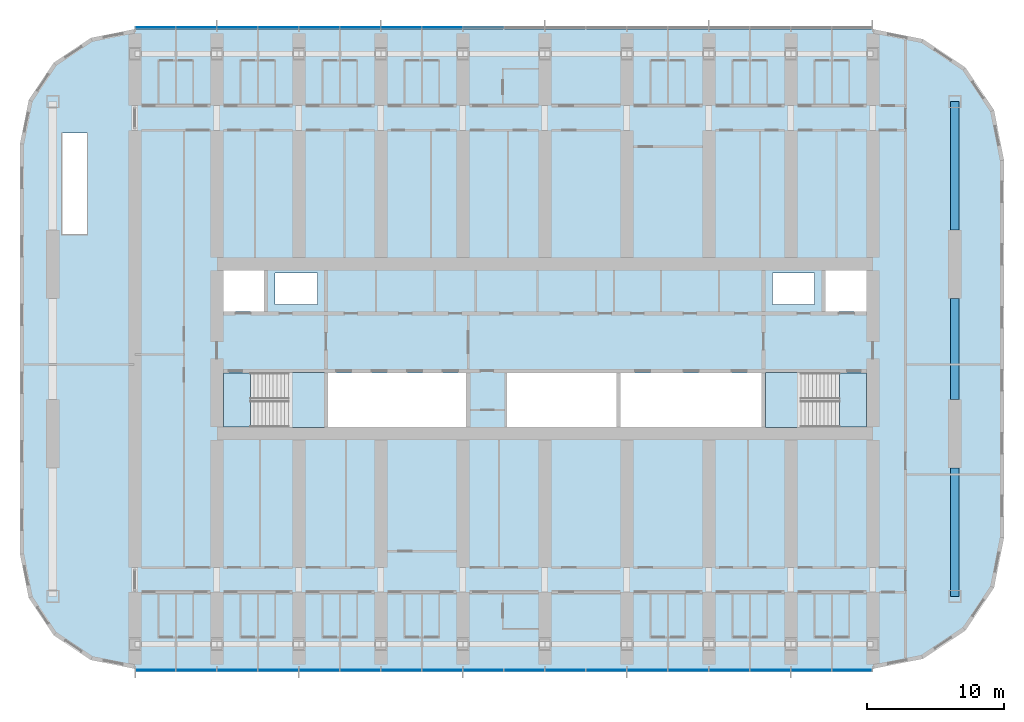
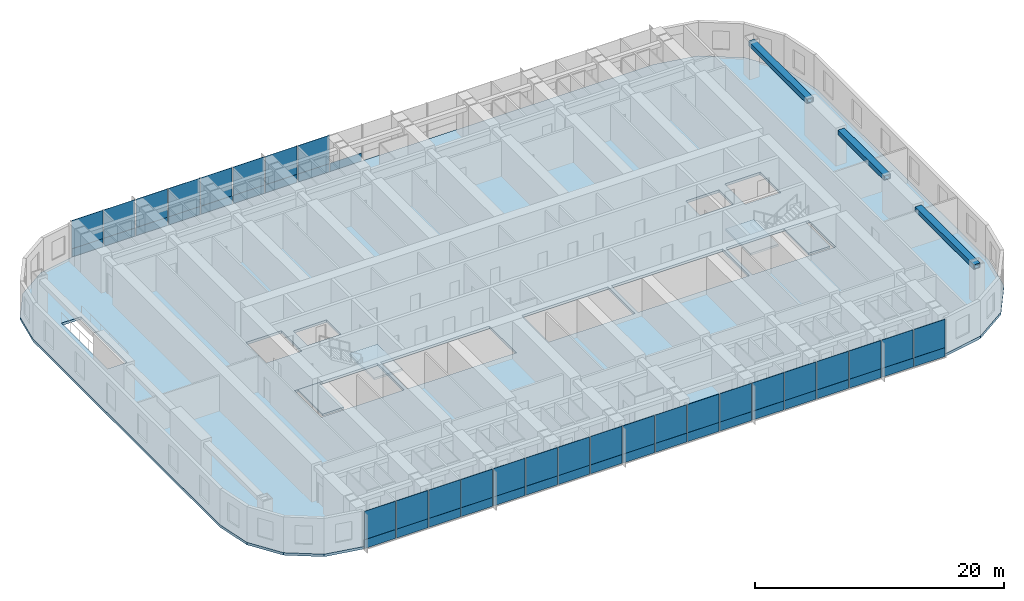
# One storey, part 6 of 22: 53 plates, 5 slabs, 3 beams, 4 elements without a shape of their own.
"""IFC4 building model written with IfcOpenShell, lengths in metres."""

from ifc_helpers import new_model, si_unit, direction, frame, origin, origin_2d, place, context, subcontext, project, spatial, polyline, rectangle, hollow_rectangle, outline, extrude, material, layer, layer_set, material_profile, profile_set, type_object, element, aggregate, save


model = new_model("IFC4")

# Units and contexts
model_context = context("Model", 3, precision=1e-05, world=origin(), true_north=direction((0.0, 1.0)))
body_context = subcontext(model_context, "Body", "Model", "MODEL_VIEW")
ifc_project = project(units=[si_unit("LENGTHUNIT", "METRE"), si_unit("AREAUNIT", "SQUARE_METRE"), si_unit("VOLUMEUNIT", "CUBIC_METRE"), si_unit("PLANEANGLEUNIT", "RADIAN"), si_unit("MASSUNIT", "GRAM", prefix="KILO")], contexts=[model_context])

# Site, building, storey
site_placement = place(None, origin())
site = spatial("IfcSite", under=ifc_project, at=site_placement, CompositionType="ELEMENT")
building_placement = place(site_placement, origin())
building = spatial("IfcBuilding", under=site, at=building_placement, Name="Orbita Commons", CompositionType="ELEMENT")
storey_placement = place(building_placement, frame((0.0, 0.0, 118.14990234375)))
storey = spatial("IfcBuildingStorey", under=building, at=storey_placement, Name="L29", CompositionType="ELEMENT", Elevation=118.14990234375)

# Beams
ifc_material_1 = material(Name="Steel ASTM A572 Gr 50 welded plate", Category="steel")
ifc_material_profile = material_profile(ifc_material_1, hollow_rectangle(XDim=0.60009765625, YDim=0.449951171875, WallThickness=0.06005859375, at=origin_2d()), Name="BOX 450x600x60")
ifc_profile_set = profile_set([ifc_material_profile], Name="Steel ASTM A572 Gr 50 welded plate")
beam_type = type_object("IfcBeamType", Name="Steel end frame link BOX 450x600x60", PredefinedType="BEAM", material=ifc_profile_set)
beam_1_placement = place(storey_placement, frame((72.0, 13.89990234375, 3.275146484375), z_axis=(0.0, 1.0, 0.0), x_axis=(-1.0, 0.0, 0.0)))
element("IfcBeam", 1, at=beam_1_placement, inside=storey, type_object=beam_type, Name="End frame beam 13 B-C L29", PredefinedType="BEAM", context=body_context, shape_type="SweptSolid", body=[
    extrude(hollow_rectangle(XDim=0.60009765625, YDim=0.449951171875, WallThickness=0.06005859375, at=origin_2d()), origin(), (0.0, 0.0, 1.0), 9.400146484375),
])
beam_2_placement = place(storey_placement, frame((72.0, 28.300048828125, 3.275146484375), z_axis=(0.0, 1.0, 0.0), x_axis=(-1.0, 0.0, 0.0)))
element("IfcBeam", 2, at=beam_2_placement, inside=storey, type_object=beam_type, Name="End frame beam 13 C-D L29", PredefinedType="BEAM", context=body_context, shape_type="SweptSolid", body=[
    extrude(hollow_rectangle(XDim=0.60009765625, YDim=0.449951171875, WallThickness=0.06005859375, at=origin_2d()), origin(), (0.0, 0.0, 1.0), 7.39990234375),
])
beam_3_placement = place(storey_placement, frame((72.0, 40.699951171875, 3.275146484375), z_axis=(0.0, 1.0, 0.0), x_axis=(-1.0, 0.0, 0.0)))
element("IfcBeam", 3, at=beam_3_placement, inside=storey, type_object=beam_type, Name="End frame beam 13 D-E L29", PredefinedType="BEAM", context=body_context, shape_type="SweptSolid", body=[
    extrude(hollow_rectangle(XDim=0.60009765625, YDim=0.449951171875, WallThickness=0.06005859375, at=origin_2d()), origin(), (0.0, 0.0, 1.0), 9.400146484375),
])

# Slab
ifc_material_2 = material(Name="Concrete C40/50", Category="concrete")
ifc_layer_1 = layer(ifc_material_2, 0.25)
ifc_layer_set_1 = layer_set([ifc_layer_1], Name="Concrete C40/50")
slab_type_1 = type_object("IfcSlabType", Name="Floor slab 250", PredefinedType="FLOOR", material=ifc_layer_set_1)
slab_1_placement = place(storey_placement, frame((0.0, 0.0, -0.25)))
element("IfcSlab", 4, at=slab_1_placement, inside=storey, type_object=slab_type_1, Name="Floor slab L29", PredefinedType="FLOOR", context=body_context, shape_type="SweptSolid", body=[
    extrude(outline(polyline([(66.0, 8.60009765625), (69.673828125, 9.330810546875), (72.788330078125, 11.411865234375), (74.869140625, 14.526123046875), (75.60009765625, 18.199951171875), (75.60009765625, 45.800048828125), (74.869140625, 49.473876953125), (72.788330078125, 52.588134765625), (69.673828125, 54.669189453125), (66.0, 55.39990234375), (12.0, 55.39990234375), (8.785400390625, 54.760498046875), (6.060302734375, 52.939697265625), (4.239501953125, 50.214599609375), (3.60009765625, 47.0), (3.60009765625, 17.0), (4.239501953125, 13.785400390625), (6.060302734375, 11.060302734375), (8.785400390625, 9.239501953125), (12.0, 8.60009765625), (66.0, 8.60009765625)]), holes=[polyline([(18.14990234375, 25.949951171875), (25.85009765625, 25.949951171875), (25.85009765625, 30.25), (18.14990234375, 30.25), (18.14990234375, 25.949951171875)]), polyline([(58.14990234375, 25.949951171875), (65.85009765625, 25.949951171875), (65.85009765625, 30.25), (58.14990234375, 30.25), (58.14990234375, 25.949951171875)]), polyline([(18.14990234375, 34.75), (21.449951171875, 34.75), (21.449951171875, 38.050048828125), (18.14990234375, 38.050048828125), (18.14990234375, 34.75)]), polyline([(62.550048828125, 34.75), (65.85009765625, 34.75), (65.85009765625, 38.050048828125), (62.550048828125, 38.050048828125), (62.550048828125, 34.75)]), polyline([(22.25, 35.25), (25.35009765625, 35.25), (25.35009765625, 37.550048828125), (22.25, 37.550048828125), (22.25, 35.25)]), polyline([(58.64990234375, 35.25), (61.75, 35.25), (61.75, 37.550048828125), (58.64990234375, 37.550048828125), (58.64990234375, 35.25)]), polyline([(26.14990234375, 25.949951171875), (36.25, 25.949951171875), (36.25, 30.25), (26.14990234375, 30.25), (26.14990234375, 25.949951171875)]), polyline([(39.25, 25.949951171875), (47.25, 25.949951171875), (47.25, 30.25), (39.25, 30.25), (39.25, 25.949951171875)]), polyline([(47.550048828125, 25.949951171875), (57.85009765625, 25.949951171875), (57.85009765625, 30.25), (47.550048828125, 30.25), (47.550048828125, 25.949951171875)]), polyline([(6.699951171875, 40.39990234375), (8.5, 40.39990234375), (8.5, 47.800048828125), (6.699951171875, 47.800048828125), (6.699951171875, 40.39990234375)])]), origin(), (0.0, 0.0, 1.0), 0.25),
])

# Curtain wall, plates
ifc_material_3 = material(Name="Anodised aluminium frame, pale silver", Category="aluminium")
curtain_wall_type = type_object("IfcCurtainWallType", Name="Unitised curtain wall CW-T, vision and spandrel", PredefinedType="NOTDEFINED", material=ifc_material_3)
curtain_wall_1_placement = place(storey_placement, origin())
curtain_wall_1 = element("IfcCurtainWall", 5, at=curtain_wall_1_placement, inside=storey, type_object=curtain_wall_type, Name="Curtain wall south L29", PredefinedType="NOTDEFINED")
ifc_material_4 = material(Name="Anodised aluminium sheet on mineral wool", Category="aluminium")
ifc_layer_2 = layer(ifc_material_4, 0.050048828125)
ifc_layer_set_2 = layer_set([ifc_layer_2], Name="Anodised aluminium sheet on mineral wool")
plate_type_1 = type_object("IfcPlateType", Name="Spandrel panel, pale aluminium over insulation 50", PredefinedType="CURTAIN_PANEL", material=ifc_layer_set_2)
plate_1_placement = place(storey_placement, frame((13.52001953125, 8.489990234375, -0.14990234375), z_axis=(0.0, 0.0, 1.0), x_axis=(1.0, 0.0, 0.0)))
plate_1 = element("IfcPlate", 6, at=plate_1_placement, type_object=plate_type_1, Name="Panel 1.1 CW-L29-S", PredefinedType="CURTAIN_PANEL", context=body_context, shape_type="SweptSolid", body=[
    extrude(rectangle(XDim=2.8798828125, YDim=0.050048828125, at=origin_2d()), origin(), (0.0, 0.0, 1.0), 0.875),
])
plate_2_placement = place(storey_placement, frame((16.5, 8.489990234375, -0.14990234375), z_axis=(0.0, 0.0, 1.0), x_axis=(1.0, 0.0, 0.0)))
plate_2 = element("IfcPlate", 7, at=plate_2_placement, type_object=plate_type_1, Name="Panel 2.1 CW-L29-S", PredefinedType="CURTAIN_PANEL", context=body_context, shape_type="SweptSolid", body=[
    extrude(rectangle(XDim=2.919921875, YDim=0.050048828125, at=origin_2d()), origin(), (0.0, 0.0, 1.0), 0.875),
])
plate_3_placement = place(storey_placement, frame((19.5, 8.489990234375, -0.14990234375), z_axis=(0.0, 0.0, 1.0), x_axis=(1.0, 0.0, 0.0)))
plate_3 = element("IfcPlate", 8, at=plate_3_placement, type_object=plate_type_1, Name="Panel 3.1 CW-L29-S", PredefinedType="CURTAIN_PANEL", context=body_context, shape_type="SweptSolid", body=[
    extrude(rectangle(XDim=2.919921875, YDim=0.050048828125, at=origin_2d()), origin(), (0.0, 0.0, 1.0), 0.875),
])
plate_4_placement = place(storey_placement, frame((22.5, 8.489990234375, -0.14990234375), z_axis=(0.0, 0.0, 1.0), x_axis=(1.0, 0.0, 0.0)))
plate_4 = element("IfcPlate", 9, at=plate_4_placement, type_object=plate_type_1, Name="Panel 4.1 CW-L29-S", PredefinedType="CURTAIN_PANEL", context=body_context, shape_type="SweptSolid", body=[
    extrude(rectangle(XDim=2.919921875, YDim=0.050048828125, at=origin_2d()), origin(), (0.0, 0.0, 1.0), 0.875),
])
plate_5_placement = place(storey_placement, frame((25.5, 8.489990234375, -0.14990234375), z_axis=(0.0, 0.0, 1.0), x_axis=(1.0, 0.0, 0.0)))
plate_5 = element("IfcPlate", 10, at=plate_5_placement, type_object=plate_type_1, Name="Panel 5.1 CW-L29-S", PredefinedType="CURTAIN_PANEL", context=body_context, shape_type="SweptSolid", body=[
    extrude(rectangle(XDim=2.919921875, YDim=0.050048828125, at=origin_2d()), origin(), (0.0, 0.0, 1.0), 0.875),
])
plate_6_placement = place(storey_placement, frame((28.5, 8.489990234375, -0.14990234375), z_axis=(0.0, 0.0, 1.0), x_axis=(1.0, 0.0, 0.0)))
plate_6 = element("IfcPlate", 11, at=plate_6_placement, type_object=plate_type_1, Name="Panel 6.1 CW-L29-S", PredefinedType="CURTAIN_PANEL", context=body_context, shape_type="SweptSolid", body=[
    extrude(rectangle(XDim=2.919921875, YDim=0.050048828125, at=origin_2d()), origin(), (0.0, 0.0, 1.0), 0.875),
])
plate_7_placement = place(storey_placement, frame((31.5, 8.489990234375, -0.14990234375), z_axis=(0.0, 0.0, 1.0), x_axis=(1.0, 0.0, 0.0)))
plate_7 = element("IfcPlate", 12, at=plate_7_placement, type_object=plate_type_1, Name="Panel 7.1 CW-L29-S", PredefinedType="CURTAIN_PANEL", context=body_context, shape_type="SweptSolid", body=[
    extrude(rectangle(XDim=2.919921875, YDim=0.050048828125, at=origin_2d()), origin(), (0.0, 0.0, 1.0), 0.875),
])
plate_8_placement = place(storey_placement, frame((34.5, 8.489990234375, -0.14990234375), z_axis=(0.0, 0.0, 1.0), x_axis=(1.0, 0.0, 0.0)))
plate_8 = element("IfcPlate", 13, at=plate_8_placement, type_object=plate_type_1, Name="Panel 8.1 CW-L29-S", PredefinedType="CURTAIN_PANEL", context=body_context, shape_type="SweptSolid", body=[
    extrude(rectangle(XDim=2.919921875, YDim=0.050048828125, at=origin_2d()), origin(), (0.0, 0.0, 1.0), 0.875),
])
plate_9_placement = place(storey_placement, frame((37.5, 8.489990234375, -0.14990234375), z_axis=(0.0, 0.0, 1.0), x_axis=(1.0, 0.0, 0.0)))
plate_9 = element("IfcPlate", 14, at=plate_9_placement, type_object=plate_type_1, Name="Panel 9.1 CW-L29-S", PredefinedType="CURTAIN_PANEL", context=body_context, shape_type="SweptSolid", body=[
    extrude(rectangle(XDim=2.919921875, YDim=0.050048828125, at=origin_2d()), origin(), (0.0, 0.0, 1.0), 0.875),
])
plate_10_placement = place(storey_placement, frame((40.5, 8.489990234375, -0.14990234375), z_axis=(0.0, 0.0, 1.0), x_axis=(1.0, 0.0, 0.0)))
plate_10 = element("IfcPlate", 15, at=plate_10_placement, type_object=plate_type_1, Name="Panel 10.1 CW-L29-S", PredefinedType="CURTAIN_PANEL", context=body_context, shape_type="SweptSolid", body=[
    extrude(rectangle(XDim=2.919921875, YDim=0.050048828125, at=origin_2d()), origin(), (0.0, 0.0, 1.0), 0.875),
])
plate_11_placement = place(storey_placement, frame((43.5, 8.489990234375, -0.14990234375), z_axis=(0.0, 0.0, 1.0), x_axis=(1.0, 0.0, 0.0)))
plate_11 = element("IfcPlate", 16, at=plate_11_placement, type_object=plate_type_1, Name="Panel 11.1 CW-L29-S", PredefinedType="CURTAIN_PANEL", context=body_context, shape_type="SweptSolid", body=[
    extrude(rectangle(XDim=2.919921875, YDim=0.050048828125, at=origin_2d()), origin(), (0.0, 0.0, 1.0), 0.875),
])
plate_12_placement = place(storey_placement, frame((46.5, 8.489990234375, -0.14990234375), z_axis=(0.0, 0.0, 1.0), x_axis=(1.0, 0.0, 0.0)))
plate_12 = element("IfcPlate", 17, at=plate_12_placement, type_object=plate_type_1, Name="Panel 12.1 CW-L29-S", PredefinedType="CURTAIN_PANEL", context=body_context, shape_type="SweptSolid", body=[
    extrude(rectangle(XDim=2.919921875, YDim=0.050048828125, at=origin_2d()), origin(), (0.0, 0.0, 1.0), 0.875),
])
plate_13_placement = place(storey_placement, frame((49.5, 8.489990234375, -0.14990234375), z_axis=(0.0, 0.0, 1.0), x_axis=(1.0, 0.0, 0.0)))
plate_13 = element("IfcPlate", 18, at=plate_13_placement, type_object=plate_type_1, Name="Panel 13.1 CW-L29-S", PredefinedType="CURTAIN_PANEL", context=body_context, shape_type="SweptSolid", body=[
    extrude(rectangle(XDim=2.919921875, YDim=0.050048828125, at=origin_2d()), origin(), (0.0, 0.0, 1.0), 0.875),
])
plate_14_placement = place(storey_placement, frame((52.5, 8.489990234375, -0.14990234375), z_axis=(0.0, 0.0, 1.0), x_axis=(1.0, 0.0, 0.0)))
plate_14 = element("IfcPlate", 19, at=plate_14_placement, type_object=plate_type_1, Name="Panel 14.1 CW-L29-S", PredefinedType="CURTAIN_PANEL", context=body_context, shape_type="SweptSolid", body=[
    extrude(rectangle(XDim=2.919921875, YDim=0.050048828125, at=origin_2d()), origin(), (0.0, 0.0, 1.0), 0.875),
])
plate_15_placement = place(storey_placement, frame((55.5, 8.489990234375, -0.14990234375), z_axis=(0.0, 0.0, 1.0), x_axis=(1.0, 0.0, 0.0)))
plate_15 = element("IfcPlate", 20, at=plate_15_placement, type_object=plate_type_1, Name="Panel 15.1 CW-L29-S", PredefinedType="CURTAIN_PANEL", context=body_context, shape_type="SweptSolid", body=[
    extrude(rectangle(XDim=2.919921875, YDim=0.050048828125, at=origin_2d()), origin(), (0.0, 0.0, 1.0), 0.875),
])
plate_16_placement = place(storey_placement, frame((58.5, 8.489990234375, -0.14990234375), z_axis=(0.0, 0.0, 1.0), x_axis=(1.0, 0.0, 0.0)))
plate_16 = element("IfcPlate", 21, at=plate_16_placement, type_object=plate_type_1, Name="Panel 16.1 CW-L29-S", PredefinedType="CURTAIN_PANEL", context=body_context, shape_type="SweptSolid", body=[
    extrude(rectangle(XDim=2.919921875, YDim=0.050048828125, at=origin_2d()), origin(), (0.0, 0.0, 1.0), 0.875),
])
plate_17_placement = place(storey_placement, frame((61.5, 8.489990234375, -0.14990234375), z_axis=(0.0, 0.0, 1.0), x_axis=(1.0, 0.0, 0.0)))
plate_17 = element("IfcPlate", 22, at=plate_17_placement, type_object=plate_type_1, Name="Panel 17.1 CW-L29-S", PredefinedType="CURTAIN_PANEL", context=body_context, shape_type="SweptSolid", body=[
    extrude(rectangle(XDim=2.919921875, YDim=0.050048828125, at=origin_2d()), origin(), (0.0, 0.0, 1.0), 0.875),
])
plate_18_placement = place(storey_placement, frame((64.47998046875, 8.489990234375, -0.14990234375), z_axis=(0.0, 0.0, 1.0), x_axis=(1.0, 0.0, 0.0)))
plate_18 = element("IfcPlate", 23, at=plate_18_placement, type_object=plate_type_1, Name="Panel 18.1 CW-L29-S", PredefinedType="CURTAIN_PANEL", context=body_context, shape_type="SweptSolid", body=[
    extrude(rectangle(XDim=2.8798828125, YDim=0.050048828125, at=origin_2d()), origin(), (0.0, 0.0, 1.0), 0.875),
])

curtain_wall_2_placement = place(storey_placement, origin())
curtain_wall_2 = element("IfcCurtainWall", 24, at=curtain_wall_2_placement, inside=storey, type_object=curtain_wall_type, Name="Curtain wall north L29", PredefinedType="NOTDEFINED")
plate_19_placement = place(storey_placement, frame((37.5, 55.510009765625, -0.14990234375), z_axis=(0.0, 0.0, 1.0), x_axis=(-1.0, 0.0, 0.0)))
plate_19 = element("IfcPlate", 25, at=plate_19_placement, type_object=plate_type_1, Name="Panel 10.1 CW-L29-N", PredefinedType="CURTAIN_PANEL", context=body_context, shape_type="SweptSolid", body=[
    extrude(rectangle(XDim=2.919921875, YDim=0.050048828125, at=origin_2d()), origin(), (0.0, 0.0, 1.0), 0.875),
])
plate_20_placement = place(storey_placement, frame((34.5, 55.510009765625, -0.14990234375), z_axis=(0.0, 0.0, 1.0), x_axis=(-1.0, 0.0, 0.0)))
plate_20 = element("IfcPlate", 26, at=plate_20_placement, type_object=plate_type_1, Name="Panel 11.1 CW-L29-N", PredefinedType="CURTAIN_PANEL", context=body_context, shape_type="SweptSolid", body=[
    extrude(rectangle(XDim=2.919921875, YDim=0.050048828125, at=origin_2d()), origin(), (0.0, 0.0, 1.0), 0.875),
])
plate_21_placement = place(storey_placement, frame((31.5, 55.510009765625, -0.14990234375), z_axis=(0.0, 0.0, 1.0), x_axis=(-1.0, 0.0, 0.0)))
plate_21 = element("IfcPlate", 27, at=plate_21_placement, type_object=plate_type_1, Name="Panel 12.1 CW-L29-N", PredefinedType="CURTAIN_PANEL", context=body_context, shape_type="SweptSolid", body=[
    extrude(rectangle(XDim=2.919921875, YDim=0.050048828125, at=origin_2d()), origin(), (0.0, 0.0, 1.0), 0.875),
])
plate_22_placement = place(storey_placement, frame((28.5, 55.510009765625, -0.14990234375), z_axis=(0.0, 0.0, 1.0), x_axis=(-1.0, 0.0, 0.0)))
plate_22 = element("IfcPlate", 28, at=plate_22_placement, type_object=plate_type_1, Name="Panel 13.1 CW-L29-N", PredefinedType="CURTAIN_PANEL", context=body_context, shape_type="SweptSolid", body=[
    extrude(rectangle(XDim=2.919921875, YDim=0.050048828125, at=origin_2d()), origin(), (0.0, 0.0, 1.0), 0.875),
])
plate_23_placement = place(storey_placement, frame((25.5, 55.510009765625, -0.14990234375), z_axis=(0.0, 0.0, 1.0), x_axis=(-1.0, 0.0, 0.0)))
plate_23 = element("IfcPlate", 29, at=plate_23_placement, type_object=plate_type_1, Name="Panel 14.1 CW-L29-N", PredefinedType="CURTAIN_PANEL", context=body_context, shape_type="SweptSolid", body=[
    extrude(rectangle(XDim=2.919921875, YDim=0.050048828125, at=origin_2d()), origin(), (0.0, 0.0, 1.0), 0.875),
])
plate_24_placement = place(storey_placement, frame((22.5, 55.510009765625, -0.14990234375), z_axis=(0.0, 0.0, 1.0), x_axis=(-1.0, 0.0, 0.0)))
plate_24 = element("IfcPlate", 30, at=plate_24_placement, type_object=plate_type_1, Name="Panel 15.1 CW-L29-N", PredefinedType="CURTAIN_PANEL", context=body_context, shape_type="SweptSolid", body=[
    extrude(rectangle(XDim=2.919921875, YDim=0.050048828125, at=origin_2d()), origin(), (0.0, 0.0, 1.0), 0.875),
])
plate_25_placement = place(storey_placement, frame((19.5, 55.510009765625, -0.14990234375), z_axis=(0.0, 0.0, 1.0), x_axis=(-1.0, 0.0, 0.0)))
plate_25 = element("IfcPlate", 31, at=plate_25_placement, type_object=plate_type_1, Name="Panel 16.1 CW-L29-N", PredefinedType="CURTAIN_PANEL", context=body_context, shape_type="SweptSolid", body=[
    extrude(rectangle(XDim=2.919921875, YDim=0.050048828125, at=origin_2d()), origin(), (0.0, 0.0, 1.0), 0.875),
])
plate_26_placement = place(storey_placement, frame((16.5, 55.510009765625, -0.14990234375), z_axis=(0.0, 0.0, 1.0), x_axis=(-1.0, 0.0, 0.0)))
plate_26 = element("IfcPlate", 32, at=plate_26_placement, type_object=plate_type_1, Name="Panel 17.1 CW-L29-N", PredefinedType="CURTAIN_PANEL", context=body_context, shape_type="SweptSolid", body=[
    extrude(rectangle(XDim=2.919921875, YDim=0.050048828125, at=origin_2d()), origin(), (0.0, 0.0, 1.0), 0.875),
])
plate_27_placement = place(storey_placement, frame((13.52001953125, 55.510009765625, -0.14990234375), z_axis=(0.0, 0.0, 1.0), x_axis=(-1.0, 0.0, 0.0)))
plate_27 = element("IfcPlate", 33, at=plate_27_placement, type_object=plate_type_1, Name="Panel 18.1 CW-L29-N", PredefinedType="CURTAIN_PANEL", context=body_context, shape_type="SweptSolid", body=[
    extrude(rectangle(XDim=2.8798828125, YDim=0.050048828125, at=origin_2d()), origin(), (0.0, 0.0, 1.0), 0.875),
])

# Stair, slabs
ifc_material_5 = material(Name="Precast concrete C40/50", Category="concrete")
stair_type_1 = type_object("IfcStairType", Name="Exit stair S1 2 flights 11 risers 170", PredefinedType="HALF_TURN_STAIR", material=ifc_material_5)
stair_1_placement = place(storey_placement, origin())
stair_1 = element("IfcStair", 34, at=stair_1_placement, inside=storey, type_object=stair_type_1, Name="Exit stair S1 L29", PredefinedType="HALF_TURN_STAIR")
ifc_material_6 = material(Name="Concrete C40/50", Category="concrete")
ifc_layer_3 = layer(ifc_material_6, 0.199951171875)
ifc_layer_set_3 = layer_set([ifc_layer_3], Name="Concrete C40/50")
slab_type_2 = type_object("IfcSlabType", Name="Stair landing 200", PredefinedType="LANDING", material=ifc_layer_set_3)
slab_2_placement = place(storey_placement, frame((0.0, 0.0, -0.199951171875)))
slab_2 = element("IfcSlab", 35, at=slab_2_placement, type_object=slab_type_2, Name="S1 landing 1", PredefinedType="LANDING", context=body_context, shape_type="SweptSolid", body=[
    extrude(outline(polyline([(18.47509765625, 26.27490234375), (20.449951171875, 26.27490234375), (20.449951171875, 30.25), (18.47509765625, 30.25), (18.47509765625, 26.27490234375)])), origin(), (0.0, 0.0, 1.0), 0.199951171875),
])
slab_3_placement = place(storey_placement, frame((0.0, 0.0, 1.675048828125)))
slab_3 = element("IfcSlab", 36, at=slab_3_placement, type_object=slab_type_2, Name="S1 landing 2", PredefinedType="LANDING", context=body_context, shape_type="SweptSolid", body=[
    extrude(outline(polyline([(23.25, 26.260009765625), (25.864990234375, 26.260009765625), (25.864990234375, 30.264892578125), (23.25, 30.264892578125), (23.25, 26.260009765625)])), origin(), (0.0, 0.0, 1.0), 0.199951171875),
])
aggregate(stair_1, [slab_2, slab_3])

ifc_material_7 = material(Name="Precast concrete C40/50", Category="concrete")
stair_type_2 = type_object("IfcStairType", Name="Exit stair S2 2 flights 11 risers 170", PredefinedType="HALF_TURN_STAIR", material=ifc_material_7)
stair_2_placement = place(storey_placement, origin())
stair_2 = element("IfcStair", 37, at=stair_2_placement, inside=storey, type_object=stair_type_2, Name="Exit stair S2 L29", PredefinedType="HALF_TURN_STAIR")
slab_4_placement = place(storey_placement, frame((0.0, 0.0, -0.199951171875)))
slab_4 = element("IfcSlab", 38, at=slab_4_placement, type_object=slab_type_2, Name="S2 landing 1", PredefinedType="LANDING", context=body_context, shape_type="SweptSolid", body=[
    extrude(outline(polyline([(63.550048828125, 26.27490234375), (65.52490234375, 26.27490234375), (65.52490234375, 30.25), (63.550048828125, 30.25), (63.550048828125, 26.27490234375)])), origin(), (0.0, 0.0, 1.0), 0.199951171875),
])
slab_5_placement = place(storey_placement, frame((0.0, 0.0, 1.675048828125)))
slab_5 = element("IfcSlab", 39, at=slab_5_placement, type_object=slab_type_2, Name="S2 landing 2", PredefinedType="LANDING", context=body_context, shape_type="SweptSolid", body=[
    extrude(outline(polyline([(58.135009765625, 26.260009765625), (60.75, 26.260009765625), (60.75, 30.264892578125), (58.135009765625, 30.264892578125), (58.135009765625, 26.260009765625)])), origin(), (0.0, 0.0, 1.0), 0.199951171875),
])
aggregate(stair_2, [slab_4, slab_5])

# Plate
ifc_material_8 = material(Name="Clear double glazing", Category="glass")
ifc_layer_4 = layer(ifc_material_8, 0.031982421875)
ifc_layer_set_4 = layer_set([ifc_layer_4], Name="Clear double glazing")
plate_type_2 = type_object("IfcPlateType", Name="Vision panel, clear double glazing 32", PredefinedType="CURTAIN_PANEL", material=ifc_layer_set_4)
plate_28_placement = place(storey_placement, frame((13.52001953125, 8.489990234375, 0.72509765625), z_axis=(0.0, 0.0, 1.0), x_axis=(1.0, 0.0, 0.0)))
plate_28 = element("IfcPlate", 40, at=plate_28_placement, type_object=plate_type_2, Name="Panel 1.2 CW-L29-S", PredefinedType="CURTAIN_PANEL", context=body_context, shape_type="SweptSolid", body=[
    extrude(rectangle(XDim=2.8798828125, YDim=0.031982421875, at=origin_2d()), origin(), (0.0, 0.0, 1.0), 2.77490234375),
])

plate_29_placement = place(storey_placement, frame((16.5, 8.489990234375, 0.72509765625), z_axis=(0.0, 0.0, 1.0), x_axis=(1.0, 0.0, 0.0)))
plate_29 = element("IfcPlate", 41, at=plate_29_placement, type_object=plate_type_2, Name="Panel 2.2 CW-L29-S", PredefinedType="CURTAIN_PANEL", context=body_context, shape_type="SweptSolid", body=[
    extrude(rectangle(XDim=2.919921875, YDim=0.031982421875, at=origin_2d()), origin(), (0.0, 0.0, 1.0), 2.77490234375),
])

plate_30_placement = place(storey_placement, frame((19.5, 8.489990234375, 0.72509765625), z_axis=(0.0, 0.0, 1.0), x_axis=(1.0, 0.0, 0.0)))
plate_30 = element("IfcPlate", 42, at=plate_30_placement, type_object=plate_type_2, Name="Panel 3.2 CW-L29-S", PredefinedType="CURTAIN_PANEL", context=body_context, shape_type="SweptSolid", body=[
    extrude(rectangle(XDim=2.919921875, YDim=0.031982421875, at=origin_2d()), origin(), (0.0, 0.0, 1.0), 2.77490234375),
])

plate_31_placement = place(storey_placement, frame((22.5, 8.489990234375, 0.72509765625), z_axis=(0.0, 0.0, 1.0), x_axis=(1.0, 0.0, 0.0)))
plate_31 = element("IfcPlate", 43, at=plate_31_placement, type_object=plate_type_2, Name="Panel 4.2 CW-L29-S", PredefinedType="CURTAIN_PANEL", context=body_context, shape_type="SweptSolid", body=[
    extrude(rectangle(XDim=2.919921875, YDim=0.031982421875, at=origin_2d()), origin(), (0.0, 0.0, 1.0), 2.77490234375),
])

plate_32_placement = place(storey_placement, frame((25.5, 8.489990234375, 0.72509765625), z_axis=(0.0, 0.0, 1.0), x_axis=(1.0, 0.0, 0.0)))
plate_32 = element("IfcPlate", 44, at=plate_32_placement, type_object=plate_type_2, Name="Panel 5.2 CW-L29-S", PredefinedType="CURTAIN_PANEL", context=body_context, shape_type="SweptSolid", body=[
    extrude(rectangle(XDim=2.919921875, YDim=0.031982421875, at=origin_2d()), origin(), (0.0, 0.0, 1.0), 2.77490234375),
])

plate_33_placement = place(storey_placement, frame((28.5, 8.489990234375, 0.72509765625), z_axis=(0.0, 0.0, 1.0), x_axis=(1.0, 0.0, 0.0)))
plate_33 = element("IfcPlate", 45, at=plate_33_placement, type_object=plate_type_2, Name="Panel 6.2 CW-L29-S", PredefinedType="CURTAIN_PANEL", context=body_context, shape_type="SweptSolid", body=[
    extrude(rectangle(XDim=2.919921875, YDim=0.031982421875, at=origin_2d()), origin(), (0.0, 0.0, 1.0), 2.77490234375),
])

plate_34_placement = place(storey_placement, frame((31.5, 8.489990234375, 0.72509765625), z_axis=(0.0, 0.0, 1.0), x_axis=(1.0, 0.0, 0.0)))
plate_34 = element("IfcPlate", 46, at=plate_34_placement, type_object=plate_type_2, Name="Panel 7.2 CW-L29-S", PredefinedType="CURTAIN_PANEL", context=body_context, shape_type="SweptSolid", body=[
    extrude(rectangle(XDim=2.919921875, YDim=0.031982421875, at=origin_2d()), origin(), (0.0, 0.0, 1.0), 2.77490234375),
])

plate_35_placement = place(storey_placement, frame((34.5, 8.489990234375, 0.72509765625), z_axis=(0.0, 0.0, 1.0), x_axis=(1.0, 0.0, 0.0)))
plate_35 = element("IfcPlate", 47, at=plate_35_placement, type_object=plate_type_2, Name="Panel 8.2 CW-L29-S", PredefinedType="CURTAIN_PANEL", context=body_context, shape_type="SweptSolid", body=[
    extrude(rectangle(XDim=2.919921875, YDim=0.031982421875, at=origin_2d()), origin(), (0.0, 0.0, 1.0), 2.77490234375),
])

plate_36_placement = place(storey_placement, frame((37.5, 8.489990234375, 0.72509765625), z_axis=(0.0, 0.0, 1.0), x_axis=(1.0, 0.0, 0.0)))
plate_36 = element("IfcPlate", 48, at=plate_36_placement, type_object=plate_type_2, Name="Panel 9.2 CW-L29-S", PredefinedType="CURTAIN_PANEL", context=body_context, shape_type="SweptSolid", body=[
    extrude(rectangle(XDim=2.919921875, YDim=0.031982421875, at=origin_2d()), origin(), (0.0, 0.0, 1.0), 2.77490234375),
])

plate_37_placement = place(storey_placement, frame((40.5, 8.489990234375, 0.72509765625), z_axis=(0.0, 0.0, 1.0), x_axis=(1.0, 0.0, 0.0)))
plate_37 = element("IfcPlate", 49, at=plate_37_placement, type_object=plate_type_2, Name="Panel 10.2 CW-L29-S", PredefinedType="CURTAIN_PANEL", context=body_context, shape_type="SweptSolid", body=[
    extrude(rectangle(XDim=2.919921875, YDim=0.031982421875, at=origin_2d()), origin(), (0.0, 0.0, 1.0), 2.77490234375),
])

plate_38_placement = place(storey_placement, frame((43.5, 8.489990234375, 0.72509765625), z_axis=(0.0, 0.0, 1.0), x_axis=(1.0, 0.0, 0.0)))
plate_38 = element("IfcPlate", 50, at=plate_38_placement, type_object=plate_type_2, Name="Panel 11.2 CW-L29-S", PredefinedType="CURTAIN_PANEL", context=body_context, shape_type="SweptSolid", body=[
    extrude(rectangle(XDim=2.919921875, YDim=0.031982421875, at=origin_2d()), origin(), (0.0, 0.0, 1.0), 2.77490234375),
])

plate_39_placement = place(storey_placement, frame((46.5, 8.489990234375, 0.72509765625), z_axis=(0.0, 0.0, 1.0), x_axis=(1.0, 0.0, 0.0)))
plate_39 = element("IfcPlate", 51, at=plate_39_placement, type_object=plate_type_2, Name="Panel 12.2 CW-L29-S", PredefinedType="CURTAIN_PANEL", context=body_context, shape_type="SweptSolid", body=[
    extrude(rectangle(XDim=2.919921875, YDim=0.031982421875, at=origin_2d()), origin(), (0.0, 0.0, 1.0), 2.77490234375),
])

plate_40_placement = place(storey_placement, frame((49.5, 8.489990234375, 0.72509765625), z_axis=(0.0, 0.0, 1.0), x_axis=(1.0, 0.0, 0.0)))
plate_40 = element("IfcPlate", 52, at=plate_40_placement, type_object=plate_type_2, Name="Panel 13.2 CW-L29-S", PredefinedType="CURTAIN_PANEL", context=body_context, shape_type="SweptSolid", body=[
    extrude(rectangle(XDim=2.919921875, YDim=0.031982421875, at=origin_2d()), origin(), (0.0, 0.0, 1.0), 2.77490234375),
])

plate_41_placement = place(storey_placement, frame((52.5, 8.489990234375, 0.72509765625), z_axis=(0.0, 0.0, 1.0), x_axis=(1.0, 0.0, 0.0)))
plate_41 = element("IfcPlate", 53, at=plate_41_placement, type_object=plate_type_2, Name="Panel 14.2 CW-L29-S", PredefinedType="CURTAIN_PANEL", context=body_context, shape_type="SweptSolid", body=[
    extrude(rectangle(XDim=2.919921875, YDim=0.031982421875, at=origin_2d()), origin(), (0.0, 0.0, 1.0), 2.77490234375),
])

plate_42_placement = place(storey_placement, frame((55.5, 8.489990234375, 0.72509765625), z_axis=(0.0, 0.0, 1.0), x_axis=(1.0, 0.0, 0.0)))
plate_42 = element("IfcPlate", 54, at=plate_42_placement, type_object=plate_type_2, Name="Panel 15.2 CW-L29-S", PredefinedType="CURTAIN_PANEL", context=body_context, shape_type="SweptSolid", body=[
    extrude(rectangle(XDim=2.919921875, YDim=0.031982421875, at=origin_2d()), origin(), (0.0, 0.0, 1.0), 2.77490234375),
])

plate_43_placement = place(storey_placement, frame((58.5, 8.489990234375, 0.72509765625), z_axis=(0.0, 0.0, 1.0), x_axis=(1.0, 0.0, 0.0)))
plate_43 = element("IfcPlate", 55, at=plate_43_placement, type_object=plate_type_2, Name="Panel 16.2 CW-L29-S", PredefinedType="CURTAIN_PANEL", context=body_context, shape_type="SweptSolid", body=[
    extrude(rectangle(XDim=2.919921875, YDim=0.031982421875, at=origin_2d()), origin(), (0.0, 0.0, 1.0), 2.77490234375),
])

plate_44_placement = place(storey_placement, frame((61.5, 8.489990234375, 0.72509765625), z_axis=(0.0, 0.0, 1.0), x_axis=(1.0, 0.0, 0.0)))
plate_44 = element("IfcPlate", 56, at=plate_44_placement, type_object=plate_type_2, Name="Panel 17.2 CW-L29-S", PredefinedType="CURTAIN_PANEL", context=body_context, shape_type="SweptSolid", body=[
    extrude(rectangle(XDim=2.919921875, YDim=0.031982421875, at=origin_2d()), origin(), (0.0, 0.0, 1.0), 2.77490234375),
])

plate_45_placement = place(storey_placement, frame((64.47998046875, 8.489990234375, 0.72509765625), z_axis=(0.0, 0.0, 1.0), x_axis=(1.0, 0.0, 0.0)))
plate_45 = element("IfcPlate", 57, at=plate_45_placement, type_object=plate_type_2, Name="Panel 18.2 CW-L29-S", PredefinedType="CURTAIN_PANEL", context=body_context, shape_type="SweptSolid", body=[
    extrude(rectangle(XDim=2.8798828125, YDim=0.031982421875, at=origin_2d()), origin(), (0.0, 0.0, 1.0), 2.77490234375),
])

aggregate(curtain_wall_1, [plate_1, plate_28, plate_2, plate_29, plate_3, plate_30, plate_4, plate_31, plate_5, plate_32, plate_6, plate_33, plate_7, plate_34, plate_8, plate_35, plate_9, plate_36, plate_10, plate_37, plate_11, plate_38, plate_12, plate_39, plate_13, plate_40, plate_14, plate_41, plate_15, plate_42, plate_16, plate_43, plate_17, plate_44, plate_18, plate_45])

plate_46_placement = place(storey_placement, frame((34.5, 55.510009765625, 0.72509765625), z_axis=(0.0, 0.0, 1.0), x_axis=(-1.0, 0.0, 0.0)))
plate_46 = element("IfcPlate", 58, at=plate_46_placement, type_object=plate_type_2, Name="Panel 11.2 CW-L29-N", PredefinedType="CURTAIN_PANEL", context=body_context, shape_type="SweptSolid", body=[
    extrude(rectangle(XDim=2.919921875, YDim=0.031982421875, at=origin_2d()), origin(), (0.0, 0.0, 1.0), 2.77490234375),
])

plate_47_placement = place(storey_placement, frame((31.5, 55.510009765625, 0.72509765625), z_axis=(0.0, 0.0, 1.0), x_axis=(-1.0, 0.0, 0.0)))
plate_47 = element("IfcPlate", 59, at=plate_47_placement, type_object=plate_type_2, Name="Panel 12.2 CW-L29-N", PredefinedType="CURTAIN_PANEL", context=body_context, shape_type="SweptSolid", body=[
    extrude(rectangle(XDim=2.919921875, YDim=0.031982421875, at=origin_2d()), origin(), (0.0, 0.0, 1.0), 2.77490234375),
])

plate_48_placement = place(storey_placement, frame((28.5, 55.510009765625, 0.72509765625), z_axis=(0.0, 0.0, 1.0), x_axis=(-1.0, 0.0, 0.0)))
plate_48 = element("IfcPlate", 60, at=plate_48_placement, type_object=plate_type_2, Name="Panel 13.2 CW-L29-N", PredefinedType="CURTAIN_PANEL", context=body_context, shape_type="SweptSolid", body=[
    extrude(rectangle(XDim=2.919921875, YDim=0.031982421875, at=origin_2d()), origin(), (0.0, 0.0, 1.0), 2.77490234375),
])

plate_49_placement = place(storey_placement, frame((25.5, 55.510009765625, 0.72509765625), z_axis=(0.0, 0.0, 1.0), x_axis=(-1.0, 0.0, 0.0)))
plate_49 = element("IfcPlate", 61, at=plate_49_placement, type_object=plate_type_2, Name="Panel 14.2 CW-L29-N", PredefinedType="CURTAIN_PANEL", context=body_context, shape_type="SweptSolid", body=[
    extrude(rectangle(XDim=2.919921875, YDim=0.031982421875, at=origin_2d()), origin(), (0.0, 0.0, 1.0), 2.77490234375),
])

plate_50_placement = place(storey_placement, frame((22.5, 55.510009765625, 0.72509765625), z_axis=(0.0, 0.0, 1.0), x_axis=(-1.0, 0.0, 0.0)))
plate_50 = element("IfcPlate", 62, at=plate_50_placement, type_object=plate_type_2, Name="Panel 15.2 CW-L29-N", PredefinedType="CURTAIN_PANEL", context=body_context, shape_type="SweptSolid", body=[
    extrude(rectangle(XDim=2.919921875, YDim=0.031982421875, at=origin_2d()), origin(), (0.0, 0.0, 1.0), 2.77490234375),
])

plate_51_placement = place(storey_placement, frame((19.5, 55.510009765625, 0.72509765625), z_axis=(0.0, 0.0, 1.0), x_axis=(-1.0, 0.0, 0.0)))
plate_51 = element("IfcPlate", 63, at=plate_51_placement, type_object=plate_type_2, Name="Panel 16.2 CW-L29-N", PredefinedType="CURTAIN_PANEL", context=body_context, shape_type="SweptSolid", body=[
    extrude(rectangle(XDim=2.919921875, YDim=0.031982421875, at=origin_2d()), origin(), (0.0, 0.0, 1.0), 2.77490234375),
])

plate_52_placement = place(storey_placement, frame((16.5, 55.510009765625, 0.72509765625), z_axis=(0.0, 0.0, 1.0), x_axis=(-1.0, 0.0, 0.0)))
plate_52 = element("IfcPlate", 64, at=plate_52_placement, type_object=plate_type_2, Name="Panel 17.2 CW-L29-N", PredefinedType="CURTAIN_PANEL", context=body_context, shape_type="SweptSolid", body=[
    extrude(rectangle(XDim=2.919921875, YDim=0.031982421875, at=origin_2d()), origin(), (0.0, 0.0, 1.0), 2.77490234375),
])

plate_53_placement = place(storey_placement, frame((13.52001953125, 55.510009765625, 0.72509765625), z_axis=(0.0, 0.0, 1.0), x_axis=(-1.0, 0.0, 0.0)))
plate_53 = element("IfcPlate", 65, at=plate_53_placement, type_object=plate_type_2, Name="Panel 18.2 CW-L29-N", PredefinedType="CURTAIN_PANEL", context=body_context, shape_type="SweptSolid", body=[
    extrude(rectangle(XDim=2.8798828125, YDim=0.031982421875, at=origin_2d()), origin(), (0.0, 0.0, 1.0), 2.77490234375),
])

aggregate(curtain_wall_2, [plate_19, plate_20, plate_46, plate_21, plate_47, plate_22, plate_48, plate_23, plate_49, plate_24, plate_50, plate_25, plate_51, plate_26, plate_52, plate_27, plate_53])

save(model, "model.ifc")
